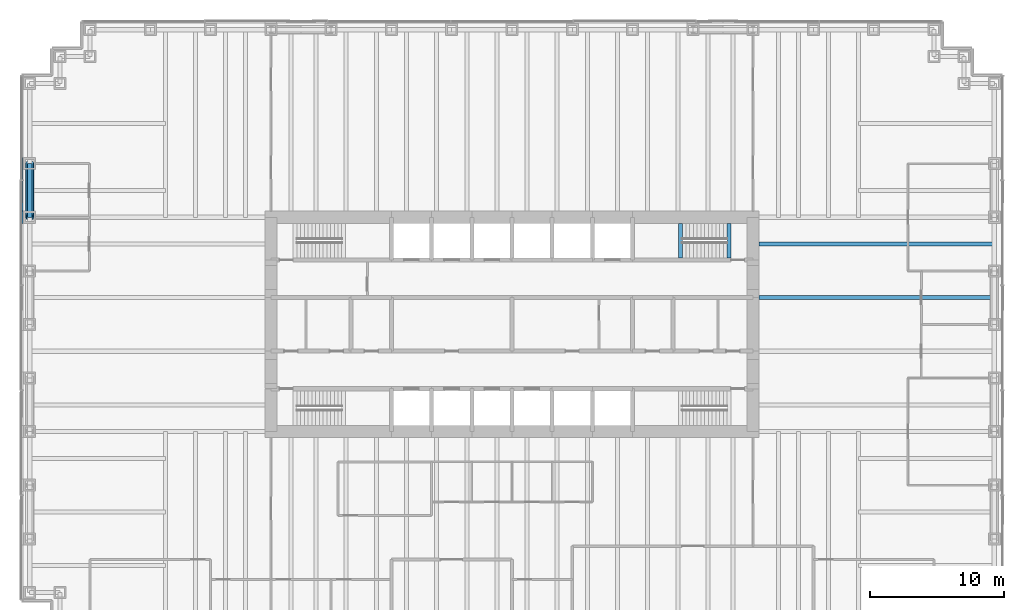
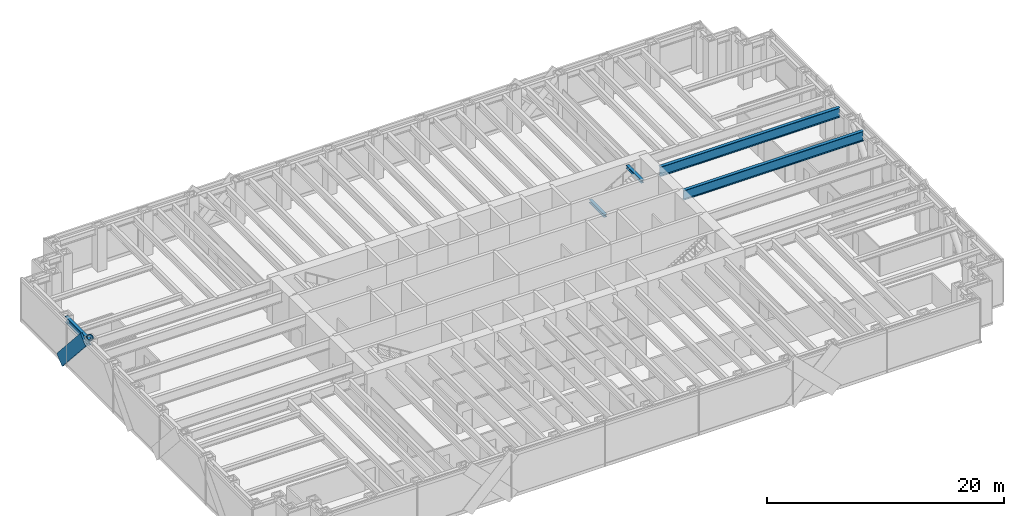
# One storey, part 4 of 13: 5 beams, 2 members, 1 element without a shape of its own.
"""IFC4 building model written with IfcOpenShell, lengths in metres."""

from ifc_helpers import new_model, si_unit, direction, frame, origin, origin_2d, place, context, subcontext, project, spatial, rectangle, hollow_circle, i_section, extrude, material, material_profile, profile_set, type_object, element, aggregate, save


model = new_model("IFC4")

# Units and contexts
model_context = context("Model", 3, precision=1e-05, world=origin(), true_north=direction((0.0, 1.0)))
body_context = subcontext(model_context, "Body", "Model", "MODEL_VIEW")
ifc_project = project(units=[si_unit("LENGTHUNIT", "METRE"), si_unit("AREAUNIT", "SQUARE_METRE"), si_unit("VOLUMEUNIT", "CUBIC_METRE"), si_unit("PLANEANGLEUNIT", "RADIAN"), si_unit("MASSUNIT", "GRAM", prefix="KILO")], contexts=[model_context])

# Site, building, storey
site_placement = place(None, origin())
site = spatial("IfcSite", under=ifc_project, at=site_placement, CompositionType="ELEMENT")
building_placement = place(site_placement, origin())
building = spatial("IfcBuilding", under=site, at=building_placement, Name="Rheinbord Bourse Tower", CompositionType="ELEMENT")
storey_placement = place(building_placement, frame((0.0, 0.0, 45.5)))
storey = spatial("IfcBuildingStorey", under=building, at=storey_placement, Name="L09", CompositionType="ELEMENT", Elevation=45.5)

# Curtain wall, member
ifc_material_1 = material(Name="Dark glass and black aluminium", Category="aluminium")
curtain_wall_type = type_object("IfcCurtainWallType", Name="CW1 DARK GLASS CURTAIN WALL", PredefinedType="USERDEFINED", material=ifc_material_1)
curtain_wall_placement = place(storey_placement, origin())
curtain_wall = element("IfcCurtainWall", 1, at=curtain_wall_placement, inside=storey, type_object=curtain_wall_type, Name="Curtain wall CW1 W L09", ObjectType="UNITISED CURTAIN WALL", PredefinedType="USERDEFINED")
ifc_material_2 = material(Name="Black anodised aluminium", Category="aluminium")
ifc_material_profile_1 = material_profile(ifc_material_2, rectangle(XDim=0.179931640625, YDim=1.2099609375, at=origin_2d()), Name="CW1 DIAGONAL MULLION 1210x180")
ifc_profile_set_1 = profile_set([ifc_material_profile_1], Name="Black anodised aluminium")
member_type_1 = type_object("IfcMemberType", Name="CW1 BLACK DIAGONAL MULLION", PredefinedType="USERDEFINED", material=ifc_profile_set_1)
member_1_placement = place(storey_placement, frame((-0.60009765625, 36.0, 0.0), z_axis=(0.0, -0.66436383883, 0.747409318684), x_axis=(1.0, 0.0, 0.0)))
member_1 = element("IfcMember", 2, at=member_1_placement, type_object=member_type_1, Name="CW1 diagonal mullion a", ObjectType="DIAGONAL MULLION", PredefinedType="USERDEFINED", context=body_context, shape_type="SweptSolid", body=[
    extrude(rectangle(XDim=0.179931640625, YDim=1.2099609375, at=origin_2d()), origin(), (0.0, 0.0, 1.0), 6.020751953125),
])
aggregate(curtain_wall, [member_1])

# Beams
ifc_material_3 = material(Name="Steel S460", Category="steel")
ifc_material_profile_2 = material_profile(ifc_material_3, i_section(OverallWidth=0.302001953125, OverallDepth=1.008056640625, WebThickness=0.02099609375, FlangeThickness=0.0400390625, at=origin_2d()), Name="HEM 1000")
ifc_profile_set_2 = profile_set([ifc_material_profile_2], Name="Steel S460")
beam_type_1 = type_object("IfcBeamType", Name="END BEAM HEM 1000", PredefinedType="BEAM", material=ifc_profile_set_2)
for number, where, z_axis, x_axis, name in (
    (3, (54.449951171875, 26.0, 3.81591796875), (1.0, 0.0, 0.0), (0.0, 1.0, 0.0), "End beam east 26 L10"),
    (4, (54.449951171875, 30.0, 3.81591796875), (1.0, 0.0, 0.0), (0.0, 1.0, 0.0), "End beam east 30 L10"),
):
    element("IfcBeam", number, at=place(storey_placement, frame(where, z_axis=z_axis, x_axis=x_axis)), inside=storey, type_object=beam_type_1, Name=name, PredefinedType="BEAM", context=body_context, shape_type="SweptSolid", body=[
        extrude(i_section(OverallWidth=0.302001953125, OverallDepth=1.008056640625, WebThickness=0.02099609375, FlangeThickness=0.0400390625, at=origin_2d()), origin(), (0.0, 0.0, 1.0), 17.550048828125),
    ])
ifc_material_4 = material(Name="Steel S460", Category="steel")
ifc_material_profile_3 = material_profile(ifc_material_4, i_section(OverallWidth=0.300048828125, OverallDepth=0.300048828125, WebThickness=0.010986328125, FlangeThickness=0.01904296875, at=origin_2d()), Name="HEB 300")
ifc_profile_set_3 = profile_set([ifc_material_profile_3], Name="Steel S460")
beam_type_2 = type_object("IfcBeamType", Name="LANDING TRIMMER HEB 300", PredefinedType="BEAM", material=ifc_profile_set_3)
for number, where, z_axis, x_axis, name in (
    (5, (48.590087890625, 28.949951171875, 1.89990234375), (0.0, 1.0, 0.0), (-1.0, 0.0, 0.0), "Landing trimmer ST4 L09"),
    (6, (52.199951171875, 28.949951171875, 4.169921875), (0.0, 1.0, 0.0), (-1.0, 0.0, 0.0), "Well trimmer ST4 under L10"),
):
    element("IfcBeam", number, at=place(storey_placement, frame(where, z_axis=z_axis, x_axis=x_axis)), inside=storey, type_object=beam_type_2, Name=name, PredefinedType="BEAM", context=body_context, shape_type="SweptSolid", body=[
        extrude(i_section(OverallWidth=0.300048828125, OverallDepth=0.300048828125, WebThickness=0.010986328125, FlangeThickness=0.01904296875, at=origin_2d()), origin(), (0.0, 0.0, 1.0), 2.60009765625),
    ])

# Member
ifc_material_5 = material(Name="Steel S460", Category="steel")
ifc_material_profile_4 = material_profile(ifc_material_5, hollow_circle(Radius=0.304931640625, WallThickness=0.050048828125, at=origin_2d()), Name="CHS 610x50")
ifc_profile_set_4 = profile_set([ifc_material_profile_4], Name="Steel S460")
member_type_2 = type_object("IfcMemberType", Name="MEGABRACE CHS 610x50", PredefinedType="BRACE", material=ifc_profile_set_4)
member_2_placement = place(storey_placement, frame((0.0, 36.0, 0.0), z_axis=(0.0, -0.66436383883, 0.747409318684), x_axis=(1.0, 0.0, 0.0)))
element("IfcMember", 7, at=member_2_placement, inside=storey, type_object=member_type_2, Name="Megabrace W face line a L09", PredefinedType="BRACE", context=body_context, shape_type="SweptSolid", body=[
    extrude(hollow_circle(Radius=0.304931640625, WallThickness=0.050048828125, at=origin_2d()), origin(), (0.0, 0.0, 1.0), 6.020751953125),
])

# Beam
ifc_material_6 = material(Name="Steel S460", Category="steel")
ifc_material_profile_5 = material_profile(ifc_material_6, i_section(OverallWidth=0.304931640625, OverallDepth=0.6201171875, WebThickness=0.02099609375, FlangeThickness=0.0400390625, at=origin_2d()), Name="HEM 600")
ifc_profile_set_5 = profile_set([ifc_material_profile_5], Name="Steel S460")
beam_type_3 = type_object("IfcBeamType", Name="SPANDREL HEM 600", PredefinedType="SPANDREL", material=ifc_profile_set_5)
beam_placement = place(storey_placement, frame((0.0, 36.0, 4.010009765625), z_axis=(0.0, -1.0, 0.0), x_axis=(1.0, 0.0, 0.0)))
element("IfcBeam", 8, at=beam_placement, inside=storey, type_object=beam_type_3, Name="Spandrel W-36-W-32 under L10", PredefinedType="SPANDREL", context=body_context, shape_type="SweptSolid", body=[
    extrude(i_section(OverallWidth=0.304931640625, OverallDepth=0.6201171875, WebThickness=0.02099609375, FlangeThickness=0.0400390625, at=origin_2d()), origin(), (0.0, 0.0, 1.0), 4.0),
])

save(model, "model.ifc")
